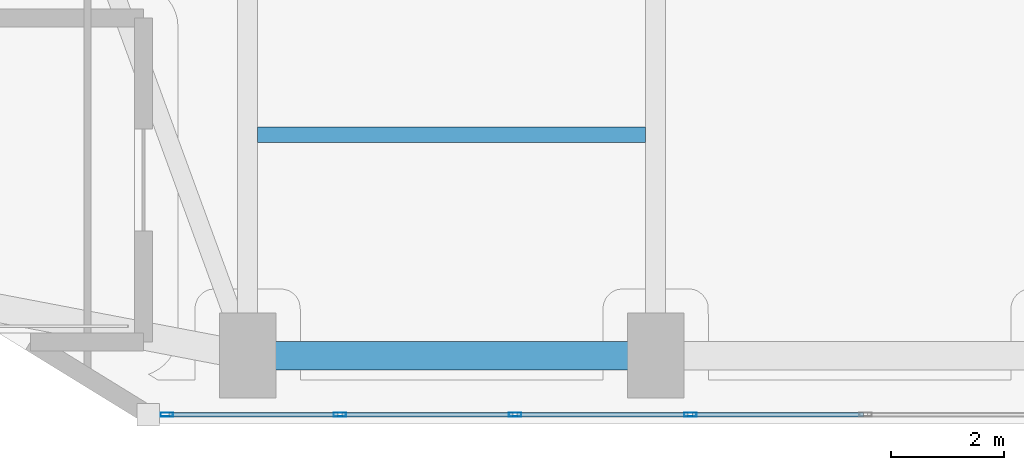
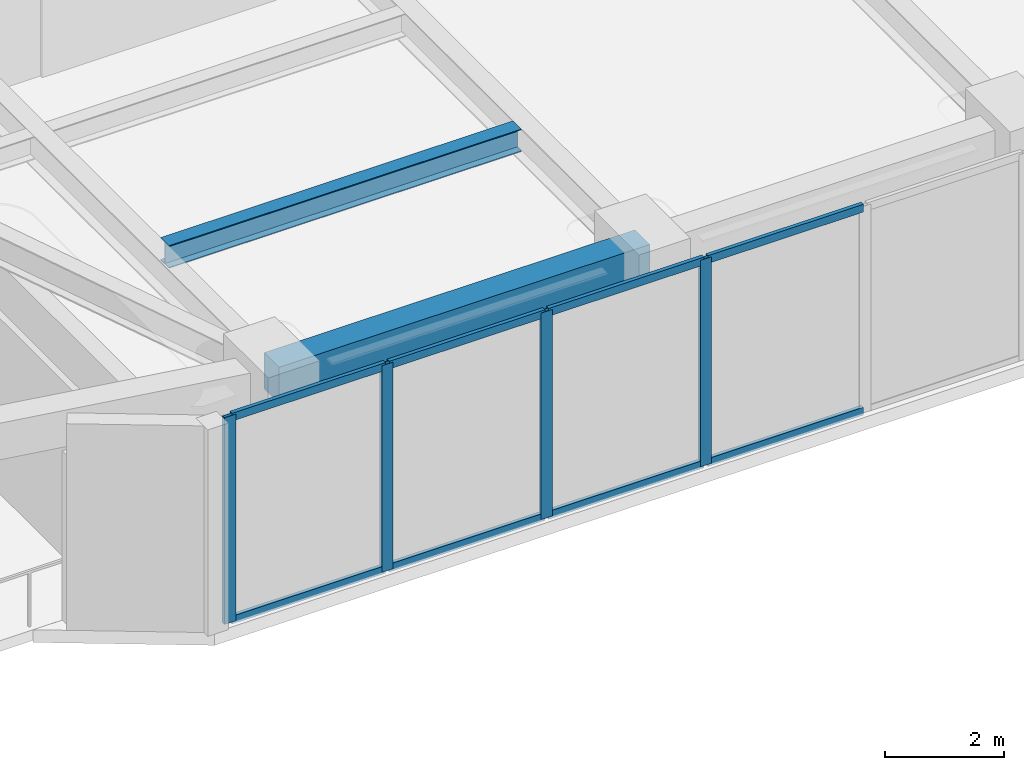
# One storey, part 4 of 25: 12 members, 2 beams, 1 element without a shape of its own.
"""IFC4 building model written with IfcOpenShell, lengths in metres."""

from ifc_helpers import new_model, si_unit, direction, frame, origin, origin_2d, place, context, subcontext, project, spatial, rectangle, hollow_rectangle, i_section, extrude, material, layer, layer_set, material_profile, profile_set, type_object, element, aggregate, save


model = new_model("IFC4")

# Units and contexts
model_context = context("Model", 3, precision=1e-05, world=origin(), true_north=direction((0.0, 1.0)))
body_context = subcontext(model_context, "Body", "Model", "MODEL_VIEW")
ifc_project = project(units=[si_unit("LENGTHUNIT", "METRE"), si_unit("AREAUNIT", "SQUARE_METRE"), si_unit("VOLUMEUNIT", "CUBIC_METRE"), si_unit("PLANEANGLEUNIT", "RADIAN"), si_unit("MASSUNIT", "GRAM", prefix="KILO")], contexts=[model_context])

# Site, building, storey
site_placement = place(None, origin())
site = spatial("IfcSite", under=ifc_project, at=site_placement, CompositionType="ELEMENT")
building_placement = place(site_placement, origin())
building = spatial("IfcBuilding", under=site, at=building_placement, Name="Kiyonajd Concourse Tower", CompositionType="ELEMENT")
storey_placement = place(building_placement, frame((0.0, 0.0, 68.39990234375)))
storey = spatial("IfcBuildingStorey", under=building, at=storey_placement, Name="L18", CompositionType="ELEMENT", Elevation=68.39990234375)

# Beams
ifc_material_1 = material(Name="Steel ASTM A992 Grade 50", Category="steel")
ifc_material_profile_1 = material_profile(ifc_material_1, i_section(OverallWidth=0.280029296875, OverallDepth=0.462890625, WebThickness=0.0107421875, FlangeThickness=0.017333984375, at=origin_2d()), Name="W460X113")
ifc_profile_set_1 = profile_set([ifc_material_profile_1], Name="Steel ASTM A992 Grade 50")
beam_type_1 = type_object("IfcBeamType", Name="BM-JST-460A", PredefinedType="JOIST", material=ifc_profile_set_1)
beam_1_placement = place(storey_placement, frame((56.577392578125, 14.699951171875, 4.008544921875), z_axis=(1.0, 0.0, 0.0), x_axis=(0.0, 1.0, 0.0)))
element("IfcBeam", 1, at=beam_1_placement, inside=storey, type_object=beam_type_1, Name="L18 Secondary Floor Joist", PredefinedType="JOIST", context=body_context, shape_type="SweptSolid", body=[
    extrude(i_section(OverallWidth=0.280029296875, OverallDepth=0.462890625, WebThickness=0.0107421875, FlangeThickness=0.017333984375, at=origin_2d()), origin(), (0.0, 0.0, 1.0), 6.84521484375),
])
ifc_material_2 = material(Name="Precast concrete C50/60", Category="concrete")
ifc_material_profile_2 = material_profile(ifc_material_2, rectangle(XDim=0.5, YDim=0.75, at=origin_2d()), Name="RCBM-500x750")
ifc_profile_set_2 = profile_set([ifc_material_profile_2], Name="Precast concrete C50/60")
beam_type_2 = type_object("IfcBeamType", Name="BM-SPAN-RC", PredefinedType="SPANDREL", material=ifc_profile_set_2)
beam_2_placement = place(storey_placement, frame((56.39990234375, 10.800048828125, 3.864990234375), z_axis=(1.0, 0.0, 0.0), x_axis=(0.0, 1.0, 0.0)))
element("IfcBeam", 2, at=beam_2_placement, inside=storey, type_object=beam_type_2, Name="L18 Perimeter Bundled Tube Spandrel", PredefinedType="SPANDREL", context=body_context, shape_type="SweptSolid", body=[
    extrude(rectangle(XDim=0.5, YDim=0.75, at=origin_2d()), origin(), (0.0, 0.0, 1.0), 7.2001953125),
])

# Curtain wall, members
ifc_material_3 = material(Name="Thermally Broken Anodised Aluminium", Category="aluminium")
ifc_layer = layer(ifc_material_3, 0.179931640625)
ifc_layer_set = layer_set([ifc_layer], Name="Thermally Broken Anodised Aluminium")
curtain_wall_type = type_object("IfcCurtainWallType", Name="CW-SYS-05", PredefinedType="NOTDEFINED", material=ifc_layer_set)
curtain_wall_placement = place(storey_placement, origin())
curtain_wall = element("IfcCurtainWall", 3, at=curtain_wall_placement, inside=storey, type_object=curtain_wall_type, Name="L18 Unitised Curtain Wall CW5", PredefinedType="NOTDEFINED")
ifc_material_profile_3 = material_profile(ifc_material_3, hollow_rectangle(XDim=0.074951171875, YDim=0.219970703125, WallThickness=0.0048828125, at=origin_2d()), Name="MULL-75x220")
ifc_profile_set_3 = profile_set([ifc_material_profile_3], Name="Thermally Broken Anodised Aluminium")
member_type_1 = type_object("IfcMemberType", Name="MB-CW-MULL2", PredefinedType="MULLION", material=ifc_profile_set_3)
member_1_placement = place(storey_placement, frame((64.212158203125, 9.760009765625, 0.0), z_axis=(0.0, 0.0, 1.0), x_axis=(0.0, -1.0, 0.0)))
member_1 = element("IfcMember", 4, at=member_1_placement, type_object=member_type_1, Name="CW5 mullion 4", PredefinedType="MULLION", context=body_context, shape_type="SweptSolid", body=[
    extrude(hollow_rectangle(XDim=0.074951171875, YDim=0.219970703125, WallThickness=0.0048828125, at=origin_2d()), origin(), (0.0, 0.0, 1.0), 4.239990234375),
])
member_2_placement = place(storey_placement, frame((61.119873046875, 9.760009765625, 0.0), z_axis=(0.0, 0.0, 1.0), x_axis=(0.0, -1.0, 0.0)))
member_2 = element("IfcMember", 5, at=member_2_placement, type_object=member_type_1, Name="CW5 mullion 5", PredefinedType="MULLION", context=body_context, shape_type="SweptSolid", body=[
    extrude(hollow_rectangle(XDim=0.074951171875, YDim=0.219970703125, WallThickness=0.0048828125, at=origin_2d()), origin(), (0.0, 0.0, 1.0), 4.239990234375),
])
member_3_placement = place(storey_placement, frame((58.027587890625, 9.760009765625, 0.0), z_axis=(0.0, 0.0, 1.0), x_axis=(0.0, -1.0, 0.0)))
member_3 = element("IfcMember", 6, at=member_3_placement, type_object=member_type_1, Name="CW5 mullion 6", PredefinedType="MULLION", context=body_context, shape_type="SweptSolid", body=[
    extrude(hollow_rectangle(XDim=0.074951171875, YDim=0.219970703125, WallThickness=0.0048828125, at=origin_2d()), origin(), (0.0, 0.0, 1.0), 4.239990234375),
])
member_4_placement = place(storey_placement, frame((54.972900390625, 9.760009765625, 0.0), z_axis=(0.0, 0.0, 1.0), x_axis=(0.0, -1.0, 0.0)))
member_4 = element("IfcMember", 7, at=member_4_placement, type_object=member_type_1, Name="CW5 mullion 7", PredefinedType="MULLION", context=body_context, shape_type="SweptSolid", body=[
    extrude(hollow_rectangle(XDim=0.074951171875, YDim=0.219970703125, WallThickness=0.0048828125, at=origin_2d()), origin(), (0.0, 0.0, 1.0), 4.239990234375),
])
ifc_material_profile_4 = material_profile(ifc_material_3, hollow_rectangle(XDim=0.074951171875, YDim=0.159912109375, WallThickness=0.0048828125, at=origin_2d()), Name="TRAN-75x160")
ifc_profile_set_4 = profile_set([ifc_material_profile_4], Name="Thermally Broken Anodised Aluminium")
member_type_2 = type_object("IfcMemberType", Name="MB-CW-TRAN2", PredefinedType="USERDEFINED", material=ifc_profile_set_4)
member_5_placement = place(storey_placement, frame((67.266845703125, 9.760009765625, 0.03759765625), z_axis=(-1.0, 0.0, 0.0), x_axis=(0.0, -1.0, 0.0)))
member_5 = element("IfcMember", 8, at=member_5_placement, type_object=member_type_2, Name="CW5 transom 3.1", ObjectType="TRANSOM", PredefinedType="USERDEFINED", context=body_context, shape_type="SweptSolid", body=[
    extrude(hollow_rectangle(XDim=0.074951171875, YDim=0.159912109375, WallThickness=0.0048828125, at=origin_2d()), origin(), (0.0, 0.0, 1.0), 3.017333984375),
])
member_6_placement = place(storey_placement, frame((67.266845703125, 9.760009765625, 4.20263671875), z_axis=(-1.0, 0.0, 0.0), x_axis=(0.0, -1.0, 0.0)))
member_6 = element("IfcMember", 9, at=member_6_placement, type_object=member_type_2, Name="CW5 transom 3.2", ObjectType="TRANSOM", PredefinedType="USERDEFINED", context=body_context, shape_type="SweptSolid", body=[
    extrude(hollow_rectangle(XDim=0.074951171875, YDim=0.159912109375, WallThickness=0.0048828125, at=origin_2d()), origin(), (0.0, 0.0, 1.0), 3.017333984375),
])
member_7_placement = place(storey_placement, frame((64.174560546875, 9.760009765625, 0.03759765625), z_axis=(-1.0, 0.0, 0.0), x_axis=(0.0, -1.0, 0.0)))
member_7 = element("IfcMember", 10, at=member_7_placement, type_object=member_type_2, Name="CW5 transom 4.1", ObjectType="TRANSOM", PredefinedType="USERDEFINED", context=body_context, shape_type="SweptSolid", body=[
    extrude(hollow_rectangle(XDim=0.074951171875, YDim=0.159912109375, WallThickness=0.0048828125, at=origin_2d()), origin(), (0.0, 0.0, 1.0), 3.017333984375),
])
member_8_placement = place(storey_placement, frame((64.174560546875, 9.760009765625, 4.20263671875), z_axis=(-1.0, 0.0, 0.0), x_axis=(0.0, -1.0, 0.0)))
member_8 = element("IfcMember", 11, at=member_8_placement, type_object=member_type_2, Name="CW5 transom 4.2", ObjectType="TRANSOM", PredefinedType="USERDEFINED", context=body_context, shape_type="SweptSolid", body=[
    extrude(hollow_rectangle(XDim=0.074951171875, YDim=0.159912109375, WallThickness=0.0048828125, at=origin_2d()), origin(), (0.0, 0.0, 1.0), 3.017333984375),
])
member_9_placement = place(storey_placement, frame((61.082275390625, 9.760009765625, 0.03759765625), z_axis=(-1.0, 0.0, 0.0), x_axis=(0.0, -1.0, 0.0)))
member_9 = element("IfcMember", 12, at=member_9_placement, type_object=member_type_2, Name="CW5 transom 5.1", ObjectType="TRANSOM", PredefinedType="USERDEFINED", context=body_context, shape_type="SweptSolid", body=[
    extrude(hollow_rectangle(XDim=0.074951171875, YDim=0.159912109375, WallThickness=0.0048828125, at=origin_2d()), origin(), (0.0, 0.0, 1.0), 3.01708984375),
])
member_10_placement = place(storey_placement, frame((61.082275390625, 9.760009765625, 4.20263671875), z_axis=(-1.0, 0.0, 0.0), x_axis=(0.0, -1.0, 0.0)))
member_10 = element("IfcMember", 13, at=member_10_placement, type_object=member_type_2, Name="CW5 transom 5.2", ObjectType="TRANSOM", PredefinedType="USERDEFINED", context=body_context, shape_type="SweptSolid", body=[
    extrude(hollow_rectangle(XDim=0.074951171875, YDim=0.159912109375, WallThickness=0.0048828125, at=origin_2d()), origin(), (0.0, 0.0, 1.0), 3.01708984375),
])
member_11_placement = place(storey_placement, frame((57.989990234375, 9.760009765625, 0.03759765625), z_axis=(-1.0, 0.0, 0.0), x_axis=(0.0, -1.0, 0.0)))
member_11 = element("IfcMember", 14, at=member_11_placement, type_object=member_type_2, Name="CW5 transom 6.1", ObjectType="TRANSOM", PredefinedType="USERDEFINED", context=body_context, shape_type="SweptSolid", body=[
    extrude(hollow_rectangle(XDim=0.074951171875, YDim=0.159912109375, WallThickness=0.0048828125, at=origin_2d()), origin(), (0.0, 0.0, 1.0), 2.979736328125),
])
member_12_placement = place(storey_placement, frame((57.989990234375, 9.760009765625, 4.20263671875), z_axis=(-1.0, 0.0, 0.0), x_axis=(0.0, -1.0, 0.0)))
member_12 = element("IfcMember", 15, at=member_12_placement, type_object=member_type_2, Name="CW5 transom 6.2", ObjectType="TRANSOM", PredefinedType="USERDEFINED", context=body_context, shape_type="SweptSolid", body=[
    extrude(hollow_rectangle(XDim=0.074951171875, YDim=0.159912109375, WallThickness=0.0048828125, at=origin_2d()), origin(), (0.0, 0.0, 1.0), 2.979736328125),
])
aggregate(curtain_wall, [member_1, member_2, member_3, member_4, member_5, member_6, member_7, member_8, member_9, member_10, member_11, member_12])

save(model, "model.ifc")
